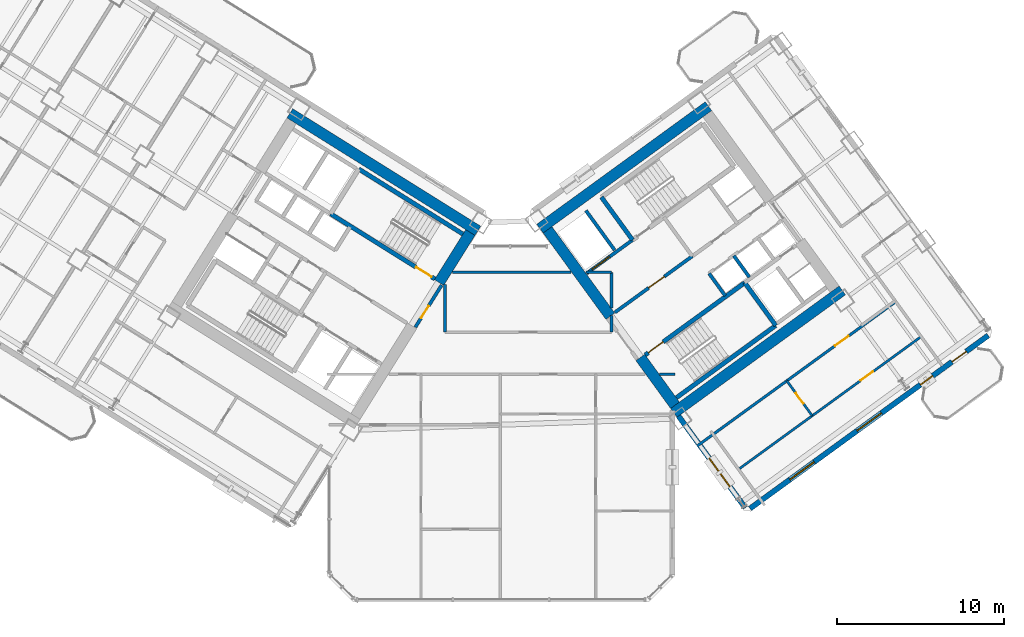
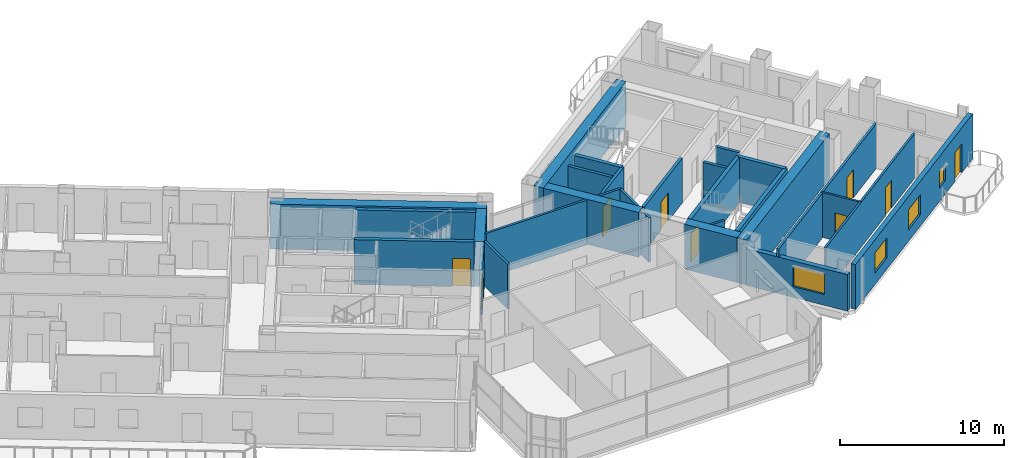
# One storey, part 18 of 25: 29 walls, 9 doors, 4 windows, 13 openings.
"""IFC4 building model written with IfcOpenShell, lengths in metres."""

from ifc_helpers import new_model, si_unit, direction, frame, frame_2d, origin, place, context, subcontext, project, spatial, rectangle, extrude, source, transform, mapped, material, layer, layer_set, type_object, element, fill, save


model = new_model("IFC4")

# Units and contexts
model_context = context("Model", 3, precision=1e-05, world=origin(), true_north=direction((0.0, 1.0)))
body_context = subcontext(model_context, "Body", "Model", "MODEL_VIEW")
ifc_project = project(units=[si_unit("LENGTHUNIT", "METRE"), si_unit("AREAUNIT", "SQUARE_METRE"), si_unit("VOLUMEUNIT", "CUBIC_METRE"), si_unit("PLANEANGLEUNIT", "RADIAN"), si_unit("MASSUNIT", "GRAM", prefix="KILO")], contexts=[model_context])

# Site, building, storey
site_placement = place(None, origin())
site = spatial("IfcSite", under=ifc_project, at=site_placement, CompositionType="ELEMENT")
building_placement = place(site_placement, origin())
building = spatial("IfcBuilding", under=site, at=building_placement, Name="Tlacorven Tower", CompositionType="ELEMENT")
storey_placement = place(building_placement, frame((0.0, 0.0, 52.800048828125)))
storey = spatial("IfcBuildingStorey", under=building, at=storey_placement, Name="L13", CompositionType="ELEMENT", Elevation=52.800048828125)

# Walls
ifc_material_1 = material(Name="Concrete C60/75", Category="concrete")
ifc_layer_1 = layer(ifc_material_1, 0.64990234375)
ifc_layer_set_1 = layer_set([ifc_layer_1], Name="Concrete C60/75")
wall_type_1 = type_object("IfcWallType", Name="WL-COR-650", PredefinedType="SHEAR", material=ifc_layer_set_1)
wall_1_placement = place(storey_placement, frame((40.615478515625, 23.9833984375, 0.0), z_axis=(0.0, 0.0, 1.0), x_axis=(-0.848045953968, 0.529922692436, 0.0)))
element("IfcWall", 1, at=wall_1_placement, inside=storey, type_object=wall_type_1, Name="L13 W core shear wall S1", PredefinedType="SHEAR", context=body_context, shape_type="SweptSolid", body=[
    extrude(rectangle(XDim=13.239990234375, YDim=0.64990234375, at=frame_2d((6.6201171875, 0.0))), origin(), (0.0, 0.0, 1.0), 3.349853515625),
])
wall_2_placement = place(storey_placement, frame((40.167724609375, 23.880126953125, 0.0), z_axis=(0.0, 0.0, 1.0), x_axis=(-0.529893103397, -0.8480644427, 0.0)))
element("IfcWall", 2, at=wall_2_placement, inside=storey, type_object=wall_type_1, Name="L13 W core end wall E1.1", PredefinedType="SHEAR", context=body_context, shape_type="SweptSolid", body=[
    extrude(rectangle(XDim=3.525146484375, YDim=0.64990234375, at=frame_2d((1.7626953125, 0.0))), origin(), (0.0, 0.0, 1.0), 3.349853515625),
])
wall_3_placement = place(storey_placement, frame((52.318359375, 13.1103515625, 0.0), z_axis=(0.0, 0.0, 1.0), x_axis=(0.809019445368, 0.587781878776, 0.0)))
element("IfcWall", 3, at=wall_3_placement, inside=storey, type_object=wall_type_1, Name="L13 E core shear wall S1", PredefinedType="SHEAR", context=body_context, shape_type="SweptSolid", body=[
    extrude(rectangle(XDim=12.43994140625, YDim=0.64990234375, at=frame_2d((6.219970703125, 0.0))), origin(), (0.0, 0.0, 1.0), 3.349853515625),
])
wall_4_placement = place(storey_placement, frame((44.32470703125, 24.113037109375, 0.0), z_axis=(0.0, 0.0, 1.0), x_axis=(0.809012664862, 0.58779121131, 0.0)))
element("IfcWall", 4, at=wall_4_placement, inside=storey, type_object=wall_type_1, Name="L13 E core shear wall S2", PredefinedType="SHEAR", context=body_context, shape_type="SweptSolid", body=[
    extrude(rectangle(XDim=12.439697265625, YDim=0.64990234375, at=frame_2d((6.2197265625, 0.0))), origin(), (0.0, 0.0, 1.0), 3.349853515625),
])
wall_5_placement = place(storey_placement, frame((52.390380859375, 13.564208984375, 0.0), z_axis=(0.0, 0.0, 1.0), x_axis=(-0.58779688989, 0.809008539037, 0.0)))
element("IfcWall", 5, at=wall_5_placement, inside=storey, type_object=wall_type_1, Name="L13 E core end wall E1.1", PredefinedType="SHEAR", context=body_context, shape_type="SweptSolid", body=[
    extrude(rectangle(XDim=3.525146484375, YDim=0.64990234375, at=frame_2d((1.7626953125, 0.0))), origin(), (0.0, 0.0, 1.0), 3.349853515625),
])
wall_6_placement = place(storey_placement, frame((48.525634765625, 18.883544921875, 0.0), z_axis=(0.0, 0.0, 1.0), x_axis=(-0.58777996584, 0.809020835181, 0.0)))
element("IfcWall", 6, at=wall_6_placement, inside=storey, type_object=wall_type_1, Name="L13 E core end wall E1.2", PredefinedType="SHEAR", context=body_context, shape_type="SweptSolid", body=[
    extrude(rectangle(XDim=6.375, YDim=0.64990234375, at=frame_2d((3.1875, 0.0))), origin(), (0.0, 0.0, 1.0), 3.349853515625),
])
ifc_material_2 = material(Name="Gypsum plasterboard acoustic partition", Category="gypsum")
ifc_layer_2 = layer(ifc_material_2, 0.159912109375)
ifc_layer_set_2 = layer_set([ifc_layer_2], Name="Gypsum plasterboard acoustic partition")
wall_type_2 = type_object("IfcWallType", Name="WL-DEM-160", PredefinedType="PARTITIONING", material=ifc_layer_set_2)
wall_7_placement = place(storey_placement, frame((51.477294921875, 15.419921875, 0.0), z_axis=(0.0, 0.0, 1.0), x_axis=(1.0, 0.0, 0.0)))
element("IfcWall", 7, at=wall_7_placement, inside=storey, type_object=wall_type_2, Name="L13 Knuckle Corridor South Wall", PredefinedType="PARTITIONING", context=body_context, shape_type="SweptSolid", body=[
    extrude(rectangle(XDim=0.922607421875, YDim=0.159912109375, at=frame_2d((0.46142578125, 0.0))), origin(), (0.0, 0.0, 1.0), 3.33984375),
])
wall_8_placement = place(storey_placement, frame((38.64990234375, 17.929931640625, 0.0), z_axis=(0.0, 0.0, 1.0), x_axis=(0.0, 1.0, 0.0)))
element("IfcWall", 8, at=wall_8_placement, inside=storey, type_object=wall_type_2, Name="L13 partition 82", PredefinedType="PARTITIONING", context=body_context, shape_type="SweptSolid", body=[
    extrude(rectangle(XDim=2.85693359375, YDim=0.159912109375, at=frame_2d((1.428466796875, 0.0))), origin(), (0.0, 0.0, 1.0), 3.33984375),
])
wall_9_placement = place(storey_placement, frame((48.60009765625, 17.929931640625, 0.0), z_axis=(0.0, 0.0, 1.0), x_axis=(0.0, 1.0, 0.0)))
element("IfcWall", 9, at=wall_9_placement, inside=storey, type_object=wall_type_2, Name="L13 partition 83", PredefinedType="PARTITIONING", context=body_context, shape_type="SweptSolid", body=[
    extrude(rectangle(XDim=0.99267578125, YDim=0.159912109375, at=frame_2d((0.496337890625, 0.0))), origin(), (0.0, 0.0, 1.0), 3.33984375),
])
wall_10_placement = place(storey_placement, frame((48.60009765625, 19.380126953125, 0.0), z_axis=(0.0, 0.0, 1.0), x_axis=(0.0, 1.0, 0.0)))
element("IfcWall", 10, at=wall_10_placement, inside=storey, type_object=wall_type_2, Name="L13 partition 83", PredefinedType="PARTITIONING", context=body_context, shape_type="SweptSolid", body=[
    extrude(rectangle(XDim=2.119873046875, YDim=0.159912109375, at=frame_2d((1.06005859375, 0.0))), origin(), (0.0, 0.0, 1.0), 3.33984375),
])
wall_11_placement = place(storey_placement, frame((39.095458984375, 21.5, 0.0), z_axis=(0.0, 0.0, 1.0), x_axis=(1.0, 0.0, 0.0)))
element("IfcWall", 11, at=wall_11_placement, inside=storey, type_object=wall_type_2, Name="L13 partition 84", PredefinedType="PARTITIONING", context=body_context, shape_type="SweptSolid", body=[
    extrude(rectangle(XDim=7.09423828125, YDim=0.159912109375, at=frame_2d((3.547119140625, 0.0))), origin(), (0.0, 0.0, 1.0), 3.33984375),
])
wall_12_placement = place(storey_placement, frame((47.059814453125, 21.5, 0.0), z_axis=(0.0, 0.0, 1.0), x_axis=(1.0, 0.0, 0.0)))
element("IfcWall", 12, at=wall_12_placement, inside=storey, type_object=wall_type_2, Name="L13 partition 84", PredefinedType="PARTITIONING", context=body_context, shape_type="SweptSolid", body=[
    extrude(rectangle(XDim=1.540283203125, YDim=0.159912109375, at=frame_2d((0.77001953125, 0.0))), origin(), (0.0, 0.0, 1.0), 3.33984375),
])

# Wall, opening, door
wall_13_placement = place(storey_placement, frame((53.70458984375, 11.1259765625, 0.0), z_axis=(0.0, 0.0, 1.0), x_axis=(0.809014504436, 0.587788679384, 0.0)))
wall_13 = element("IfcWall", 13, at=wall_13_placement, inside=storey, type_object=wall_type_2, Name="L13 partition 104", PredefinedType="PARTITIONING", context=body_context, shape_type="SweptSolid", body=[
    extrude(rectangle(XDim=14.669921875, YDim=0.159912109375, at=frame_2d((7.3349609375, 0.0))), origin(), (0.0, 0.0, 1.0), 3.33984375),
])
opening_1_placement = place(wall_13_placement, frame((10.199951171875, 0.0, 0.0)))
opening_1 = element("IfcOpeningElement", 14, at=opening_1_placement, cuts=wall_13, Name="Opening D11", PredefinedType="OPENING", context=body_context, shape_type="SweptSolid", body=[
    extrude(rectangle(XDim=1.0, YDim=2.10009765625, at=frame_2d((0.5, 1.050048828125))), frame((0.0, 0.08984375, 0.0), z_axis=(0.0, -1.0, 0.0), x_axis=(1.0, 0.0, 0.0)), (0.0, 0.0, 1.0), 0.179931640625),
])
ifc_material_3 = material(Name="Fire-rated steel door assembly", Category="steel")
door_type_1 = type_object("IfcDoorType", Name="DR-FLT-FD60-1000", OperationType="NOTDEFINED", PredefinedType="DOOR", material=ifc_material_3)
shared_shape_1 = source(origin(), body_context, "Body", "SweptSolid", [
    extrude(rectangle(XDim=1.0, YDim=2.10009765625, at=frame_2d((0.5, 1.050048828125))), frame((0.0, 0.02490234375, 0.0), z_axis=(0.0, -1.0, 0.0), x_axis=(1.0, 0.0, 0.0)), (0.0, 0.0, 1.0), 0.050048828125),
])
door_1_placement = place(opening_1_placement, origin())
door_1 = element("IfcDoor", 15, at=door_1_placement, inside=storey, type_object=door_type_1, Name="L13 door 065", OperationType="SINGLE_SWING_RIGHT", OverallHeight=2.10009765625, OverallWidth=1.0, PredefinedType="DOOR", context=body_context, shape_type="MappedRepresentation", body=[
    mapped(shared_shape_1, transform((0.0, 0.0, 0.0), scale=1.0)),
])
fill(opening_1, door_1)

# Wall, openings, door, windows
ifc_material_4 = material(Name="Precast concrete C45/55", Category="concrete")
ifc_layer_3 = layer(ifc_material_4, 0.320068359375)
ifc_layer_set_3 = layer_set([ifc_layer_3], Name="Precast concrete C45/55")
wall_type_3 = type_object("IfcWallType", Name="WL-EXT-320", PredefinedType="STANDARD", material=ifc_layer_set_3)
wall_14_placement = place(storey_placement, frame((71.097900390625, 17.73095703125, 0.0), z_axis=(0.0, 0.0, 1.0), x_axis=(-0.809021120468, -0.587779573171, 0.0)))
wall_14 = element("IfcWall", 16, at=wall_14_placement, inside=storey, type_object=wall_type_3, Name="L13 Masonry-Frame Recessed Facade Wall 6", PredefinedType="STANDARD", context=body_context, shape_type="SweptSolid", body=[
    extrude(rectangle(XDim=17.587646484375, YDim=0.320068359375, at=frame_2d((8.7939453125, 0.0))), origin(), (0.0, 0.0, 1.0), 3.349853515625),
])
opening_2_placement = place(wall_14_placement, frame((1.623779296875, 0.0, 0.0)))
opening_2 = element("IfcOpeningElement", 17, at=opening_2_placement, cuts=wall_14, Name="Opening D06", PredefinedType="OPENING", context=body_context, shape_type="SweptSolid", body=[
    extrude(rectangle(XDim=1.050048828125, YDim=2.14990234375, at=frame_2d((0.52490234375, 1.074951171875))), frame((0.0, 0.169921875, 0.0), z_axis=(0.0, -1.0, 0.0), x_axis=(1.0, 0.0, 0.0)), (0.0, 0.0, 1.0), 0.340087890625),
])
opening_3_placement = place(wall_14_placement, frame((4.103759765625, 0.0, 1.0)))
opening_3 = element("IfcOpeningElement", 18, at=opening_3_placement, cuts=wall_14, Name="Opening WN05", PredefinedType="OPENING", context=body_context, shape_type="SweptSolid", body=[
    extrude(rectangle(XDim=0.89990234375, YDim=1.25, at=frame_2d((0.449951171875, 0.625))), frame((0.0, 0.169921875, 0.0), z_axis=(0.0, -1.0, 0.0), x_axis=(1.0, 0.0, 0.0)), (0.0, 0.0, 1.0), 0.340087890625),
])
opening_4_placement = place(wall_14_placement, frame((7.878662109375, 0.0, 0.85009765625)))
opening_4 = element("IfcOpeningElement", 19, at=opening_4_placement, cuts=wall_14, Name="Opening WN01", PredefinedType="OPENING", context=body_context, shape_type="SweptSolid", body=[
    extrude(rectangle(XDim=1.800048828125, YDim=1.5, at=frame_2d((0.89990234375, 0.75))), frame((0.0, 0.169921875, 0.0), z_axis=(0.0, -1.0, 0.0), x_axis=(1.0, 0.0, 0.0)), (0.0, 0.0, 1.0), 0.340087890625),
])
opening_5_placement = place(wall_14_placement, frame((12.8486328125, 0.0, 0.85009765625)))
opening_5 = element("IfcOpeningElement", 20, at=opening_5_placement, cuts=wall_14, Name="Opening WN01", PredefinedType="OPENING", context=body_context, shape_type="SweptSolid", body=[
    extrude(rectangle(XDim=1.800048828125, YDim=1.5, at=frame_2d((0.89990234375, 0.75))), frame((0.0, 0.169921875, 0.0), z_axis=(0.0, -1.0, 0.0), x_axis=(1.0, 0.0, 0.0)), (0.0, 0.0, 1.0), 0.340087890625),
])
ifc_material_5 = material(Name="Powder-coated aluminium and timber door", Category="wood")
door_type_2 = type_object("IfcDoorType", Name="DR-EXT-BALC-1050", OperationType="NOTDEFINED", PredefinedType="DOOR", material=ifc_material_5)
shared_shape_2 = source(origin(), body_context, "Body", "SweptSolid", [
    extrude(rectangle(XDim=1.050048828125, YDim=2.14990234375, at=frame_2d((0.52490234375, 1.074951171875))), frame((0.0, 0.02490234375, 0.0), z_axis=(0.0, -1.0, 0.0), x_axis=(1.0, 0.0, 0.0)), (0.0, 0.0, 1.0), 0.050048828125),
])
door_2_placement = place(opening_2_placement, origin())
door_2 = element("IfcDoor", 21, at=door_2_placement, inside=storey, type_object=door_type_2, Name="L13 Outdoor Access Door BAL-L13-E-OUT", OperationType="SINGLE_SWING_LEFT", OverallHeight=2.14990234375, OverallWidth=1.050048828125, PredefinedType="DOOR", context=body_context, shape_type="MappedRepresentation", body=[
    mapped(shared_shape_2, transform((0.0, 0.0, 0.0), scale=1.0)),
])
fill(opening_2, door_2)
ifc_material_6 = material(Name="Dark solar low-E double glazing in anodised aluminium frame", Category="aluminium")
window_type_1 = type_object("IfcWindowType", Name="WN-APT-1800X1650", PartitioningType="SINGLE_PANEL", PredefinedType="WINDOW", material=ifc_material_6)
shared_shape_3 = source(origin(), body_context, "Body", "SweptSolid", [
    extrude(rectangle(XDim=1.800048828125, YDim=1.5, at=frame_2d((0.89990234375, 0.75))), frame((0.0, 0.030029296875, 0.0), z_axis=(0.0, -1.0, 0.0), x_axis=(1.0, 0.0, 0.0)), (0.0, 0.0, 1.0), 0.06005859375),
])
window_1_placement = place(opening_4_placement, origin())
window_1 = element("IfcWindow", 22, at=window_1_placement, inside=storey, type_object=window_type_1, Name="L13 Recessed Masonry-Frame Window L13-06.2", OverallHeight=1.5, OverallWidth=1.800048828125, PartitioningType="SINGLE_PANEL", PredefinedType="WINDOW", context=body_context, shape_type="MappedRepresentation", body=[
    mapped(shared_shape_3, transform((0.0, 0.0, 0.0), scale=1.0)),
])
fill(opening_4, window_1)
window_2_placement = place(opening_5_placement, origin())
window_2 = element("IfcWindow", 23, at=window_2_placement, inside=storey, type_object=window_type_1, Name="L13 Recessed Masonry-Frame Window L13-06.3", OverallHeight=1.5, OverallWidth=1.800048828125, PartitioningType="SINGLE_PANEL", PredefinedType="WINDOW", context=body_context, shape_type="MappedRepresentation", body=[
    mapped(shared_shape_3, transform((0.0, 0.0, 0.0), scale=1.0)),
])
fill(opening_5, window_2)
window_type_2 = type_object("IfcWindowType", Name="WN-APT-0900X1350", PartitioningType="SINGLE_PANEL", PredefinedType="WINDOW", material=ifc_material_6)
shared_shape_4 = source(origin(), body_context, "Body", "SweptSolid", [
    extrude(rectangle(XDim=0.89990234375, YDim=1.25, at=frame_2d((0.449951171875, 0.625))), frame((0.0, 0.030029296875, 0.0), z_axis=(0.0, -1.0, 0.0), x_axis=(1.0, 0.0, 0.0)), (0.0, 0.0, 1.0), 0.06005859375),
])
window_3_placement = place(opening_3_placement, origin())
window_3 = element("IfcWindow", 24, at=window_3_placement, inside=storey, type_object=window_type_2, Name="L13 Recessed Masonry-Frame Window L13-06.1", OverallHeight=1.25, OverallWidth=0.89990234375, PartitioningType="SINGLE_PANEL", PredefinedType="WINDOW", context=body_context, shape_type="MappedRepresentation", body=[
    mapped(shared_shape_4, transform((0.0, 0.0, 0.0), scale=1.0)),
])
fill(opening_3, window_3)

# Wall, opening, window
wall_15_placement = place(storey_placement, frame((56.5810546875, 7.43896484375, 0.0), z_axis=(0.0, 0.0, 1.0), x_axis=(-0.587785875463, 0.809016541614, 0.0)))
wall_15 = element("IfcWall", 25, at=wall_15_placement, inside=storey, type_object=wall_type_3, Name="L13 Masonry-Frame Recessed Facade Wall 7", PredefinedType="STANDARD", context=body_context, shape_type="SweptSolid", body=[
    extrude(rectangle(XDim=6.773681640625, YDim=0.320068359375, at=frame_2d((3.38671875, 0.0))), origin(), (0.0, 0.0, 1.0), 2.724853515625),
])
opening_6_placement = place(wall_15_placement, frame((1.55615234375, 0.0, 0.800048828125)))
opening_6 = element("IfcOpeningElement", 26, at=opening_6_placement, cuts=wall_15, Name="Opening WN04", PredefinedType="OPENING", context=body_context, shape_type="SweptSolid", body=[
    extrude(rectangle(XDim=2.10009765625, YDim=1.550048828125, at=frame_2d((1.050048828125, 0.77490234375))), frame((0.0, 0.169921875, 0.0), z_axis=(0.0, -1.0, 0.0), x_axis=(1.0, 0.0, 0.0)), (0.0, 0.0, 1.0), 0.340087890625),
])
window_type_3 = type_object("IfcWindowType", Name="WN-APT-2100X1750", PartitioningType="SINGLE_PANEL", PredefinedType="WINDOW", material=ifc_material_6)
shared_shape_5 = source(origin(), body_context, "Body", "SweptSolid", [
    extrude(rectangle(XDim=2.10009765625, YDim=1.550048828125, at=frame_2d((1.050048828125, 0.77490234375))), frame((0.0, 0.030029296875, 0.0), z_axis=(0.0, -1.0, 0.0), x_axis=(1.0, 0.0, 0.0)), (0.0, 0.0, 1.0), 0.06005859375),
])
window_4_placement = place(opening_6_placement, origin())
window_4 = element("IfcWindow", 27, at=window_4_placement, inside=storey, type_object=window_type_3, Name="L13 Recessed Masonry-Frame Window L13-07.1", OverallHeight=1.550048828125, OverallWidth=2.10009765625, PartitioningType="SINGLE_PANEL", PredefinedType="WINDOW", context=body_context, shape_type="MappedRepresentation", body=[
    mapped(shared_shape_5, transform((0.0, 0.0, 0.0), scale=1.0)),
])
fill(opening_6, window_4)

# Wall, opening, door
ifc_material_7 = material(Name="Moisture-resistant gypsum plumbing wall", Category="gypsum")
ifc_layer_4 = layer(ifc_material_7, 0.139892578125)
ifc_layer_set_4 = layer_set([ifc_layer_4], Name="Moisture-resistant gypsum plumbing wall")
wall_type_4 = type_object("IfcWallType", Name="WL-PLM-140", PredefinedType="PLUMBINGWALL", material=ifc_layer_set_4)
wall_16_placement = place(storey_placement, frame((56.24853515625, 9.78515625, 0.0), z_axis=(0.0, 0.0, 1.0), x_axis=(0.809011747655, 0.587792473715, 0.0)))
wall_16 = element("IfcWall", 28, at=wall_16_placement, inside=storey, type_object=wall_type_4, Name="L13 partition 106", PredefinedType="PLUMBINGWALL", context=body_context, shape_type="SweptSolid", body=[
    extrude(rectangle(XDim=13.400146484375, YDim=0.139892578125, at=frame_2d((6.7001953125, 0.0))), origin(), (0.0, 0.0, 1.0), 3.33984375),
])
opening_7_placement = place(wall_16_placement, frame((8.93994140625, 0.0, 0.0)))
opening_7 = element("IfcOpeningElement", 29, at=opening_7_placement, cuts=wall_16, Name="Opening D12", PredefinedType="OPENING", context=body_context, shape_type="SweptSolid", body=[
    extrude(rectangle(XDim=0.919921875, YDim=2.080078125, at=frame_2d((0.4599609375, 1.0400390625))), frame((0.0, 0.080078125, 0.0), z_axis=(0.0, -1.0, 0.0), x_axis=(1.0, 0.0, 0.0)), (0.0, 0.0, 1.0), 0.159912109375),
])
door_type_3 = type_object("IfcDoorType", Name="DR-INT-ROOM-0920", OperationType="NOTDEFINED", PredefinedType="DOOR", material=ifc_material_5)
shared_shape_6 = source(origin(), body_context, "Body", "SweptSolid", [
    extrude(rectangle(XDim=0.919921875, YDim=2.080078125, at=frame_2d((0.4599609375, 1.0400390625))), frame((0.0, 0.02490234375, 0.0), z_axis=(0.0, -1.0, 0.0), x_axis=(1.0, 0.0, 0.0)), (0.0, 0.0, 1.0), 0.050048828125),
])
door_3_placement = place(opening_7_placement, origin())
door_3 = element("IfcDoor", 30, at=door_3_placement, inside=storey, type_object=door_type_3, Name="L13 door 066", OperationType="SINGLE_SWING_LEFT", OverallHeight=2.080078125, OverallWidth=0.919921875, PredefinedType="DOOR", context=body_context, shape_type="MappedRepresentation", body=[
    mapped(shared_shape_6, transform((0.0, 0.0, 0.0), scale=1.0)),
])
fill(opening_7, door_3)

wall_17_placement = place(storey_placement, frame((60.584716796875, 12.935791015625, 0.0), z_axis=(0.0, 0.0, 1.0), x_axis=(-0.587772116736, 0.809026537752, 0.0)))
wall_17 = element("IfcWall", 31, at=wall_17_placement, inside=storey, type_object=wall_type_4, Name="L13 partition 107", PredefinedType="PLUMBINGWALL", context=body_context, shape_type="SweptSolid", body=[
    extrude(rectangle(XDim=2.579833984375, YDim=0.139892578125, at=frame_2d((1.2900390625, 0.0))), origin(), (0.0, 0.0, 1.0), 3.33984375),
])
opening_8_placement = place(wall_17_placement, frame((0.89990234375, 0.0, 0.0)))
opening_8 = element("IfcOpeningElement", 32, at=opening_8_placement, cuts=wall_17, Name="Opening D22", PredefinedType="OPENING", context=body_context, shape_type="SweptSolid", body=[
    extrude(rectangle(XDim=0.780029296875, YDim=2.050048828125, at=frame_2d((0.39013671875, 1.02490234375))), frame((0.0, 0.080078125, 0.0), z_axis=(0.0, -1.0, 0.0), x_axis=(1.0, 0.0, 0.0)), (0.0, 0.0, 1.0), 0.159912109375),
])
door_type_4 = type_object("IfcDoorType", Name="DR-INT-WET-0780", OperationType="NOTDEFINED", PredefinedType="DOOR", material=ifc_material_5)
shared_shape_7 = source(origin(), body_context, "Body", "SweptSolid", [
    extrude(rectangle(XDim=0.780029296875, YDim=2.050048828125, at=frame_2d((0.39013671875, 1.02490234375))), frame((0.0, 0.02490234375, 0.0), z_axis=(0.0, -1.0, 0.0), x_axis=(1.0, 0.0, 0.0)), (0.0, 0.0, 1.0), 0.050048828125),
])
door_4_placement = place(opening_8_placement, origin())
door_4 = element("IfcDoor", 33, at=door_4_placement, inside=storey, type_object=door_type_4, Name="L13 door 067", OperationType="SINGLE_SWING_RIGHT", OverallHeight=2.050048828125, OverallWidth=0.780029296875, PredefinedType="DOOR", context=body_context, shape_type="MappedRepresentation", body=[
    mapped(shared_shape_7, transform((0.0, 0.0, 0.0), scale=1.0)),
])
fill(opening_8, door_4)

ifc_material_8 = material(Name="Concrete C40/50", Category="concrete")
ifc_layer_5 = layer(ifc_material_8, 0.199951171875)
ifc_layer_set_5 = layer_set([ifc_layer_5], Name="Concrete C40/50")
wall_type_5 = type_object("IfcWallType", Name="WL-SHF-200", PredefinedType="STANDARD", material=ifc_layer_set_5)
wall_18_placement = place(storey_placement, frame((47.10595703125, 21.4365234375, 0.0), z_axis=(0.0, 0.0, 1.0), x_axis=(0.809012514015, 0.58779141893, 0.0)))
wall_18 = element("IfcWall", 34, at=wall_18_placement, inside=storey, type_object=wall_type_5, Name="L13 Core E Firefighting Lift Shaft Front Wall", PredefinedType="STANDARD", context=body_context, shape_type="SweptSolid", body=[
    extrude(rectangle(XDim=3.39794921875, YDim=0.199951171875, at=frame_2d((1.698974609375, 0.0))), origin(), (0.0, 0.0, 1.0), 3.33984375),
])
opening_9_placement = place(wall_18_placement, frame((0.407958984375, 0.0, 0.0)))
opening_9 = element("IfcOpeningElement", 35, at=opening_9_placement, cuts=wall_18, Name="Opening LD03", PredefinedType="OPENING", context=body_context, shape_type="SweptSolid", body=[
    extrude(rectangle(XDim=1.300048828125, YDim=2.199951171875, at=frame_2d((0.64990234375, 1.10009765625))), frame((0.0, 0.10986328125, 0.0), z_axis=(0.0, -1.0, 0.0), x_axis=(1.0, 0.0, 0.0)), (0.0, 0.0, 1.0), 0.219970703125),
])
door_type_5 = type_object("IfcDoorType", Name="DR-LFT-SLID-1300", OperationType="DOUBLE_DOOR_SLIDING", PredefinedType="DOOR", material=ifc_material_3)
shared_shape_8 = source(origin(), body_context, "Body", "SweptSolid", [
    extrude(rectangle(XDim=1.300048828125, YDim=2.199951171875, at=frame_2d((0.64990234375, 1.10009765625))), frame((0.0, 0.02490234375, 0.0), z_axis=(0.0, -1.0, 0.0), x_axis=(1.0, 0.0, 0.0)), (0.0, 0.0, 1.0), 0.050048828125),
])
door_5_placement = place(opening_9_placement, origin())
door_5 = element("IfcDoor", 36, at=door_5_placement, inside=storey, type_object=door_type_5, Name="L13 Lift FFL-E1 Sliding Landing Door", OperationType="DOUBLE_DOOR_SLIDING", OverallHeight=2.199951171875, OverallWidth=1.300048828125, PredefinedType="DOOR", context=body_context, shape_type="MappedRepresentation", body=[
    mapped(shared_shape_8, transform((0.0, 0.0, 0.0), scale=1.0)),
])
fill(opening_9, door_5)

wall_19_placement = place(storey_placement, frame((48.798828125, 19.106689453125, 0.0), z_axis=(0.0, 0.0, 1.0), x_axis=(0.809012959416, 0.587790805897, 0.0)))
wall_19 = element("IfcWall", 37, at=wall_19_placement, inside=storey, type_object=wall_type_5, Name="L13 Core E Smoke Lobby Wall", PredefinedType="STANDARD", context=body_context, shape_type="SweptSolid", body=[
    extrude(rectangle(XDim=5.7177734375, YDim=0.199951171875, at=frame_2d((2.85888671875, 0.0))), origin(), (0.0, 0.0, 1.0), 3.33984375),
])
opening_10_placement = place(wall_19_placement, frame((2.498046875, 0.0, 0.0)))
opening_10 = element("IfcOpeningElement", 38, at=opening_10_placement, cuts=wall_19, Name="Opening D09", PredefinedType="OPENING", context=body_context, shape_type="SweptSolid", body=[
    extrude(rectangle(XDim=1.14990234375, YDim=2.10009765625, at=frame_2d((0.574951171875, 1.050048828125))), frame((0.0, 0.10986328125, 0.0), z_axis=(0.0, -1.0, 0.0), x_axis=(1.0, 0.0, 0.0)), (0.0, 0.0, 1.0), 0.219970703125),
])
door_type_6 = type_object("IfcDoorType", Name="DR-FFL-FD60-1150", OperationType="NOTDEFINED", PredefinedType="DOOR", material=ifc_material_3)
shared_shape_9 = source(origin(), body_context, "Body", "SweptSolid", [
    extrude(rectangle(XDim=1.14990234375, YDim=2.10009765625, at=frame_2d((0.574951171875, 1.050048828125))), frame((0.0, 0.02490234375, 0.0), z_axis=(0.0, -1.0, 0.0), x_axis=(1.0, 0.0, 0.0)), (0.0, 0.0, 1.0), 0.050048828125),
])
door_6_placement = place(opening_10_placement, origin())
door_6 = element("IfcDoor", 39, at=door_6_placement, inside=storey, type_object=door_type_6, Name="L13 Firefighting Lobby E Fire Door", OperationType="SINGLE_SWING_LEFT", OverallHeight=2.10009765625, OverallWidth=1.14990234375, PredefinedType="DOOR", context=body_context, shape_type="MappedRepresentation", body=[
    mapped(shared_shape_9, transform((0.0, 0.0, 0.0), scale=1.0)),
])
fill(opening_10, door_6)

# Walls
wall_20_placement = place(storey_placement, frame((55.390869140625, 20.1015625, 0.0), z_axis=(0.0, 0.0, 1.0), x_axis=(-0.58778447739, 0.809017557374, 0.0)))
element("IfcWall", 40, at=wall_20_placement, inside=storey, type_object=wall_type_5, Name="L13 partition 37", PredefinedType="STANDARD", context=body_context, shape_type="SweptSolid", body=[
    extrude(rectangle(XDim=1.64990234375, YDim=0.199951171875, at=frame_2d((0.824951171875, 0.0))), origin(), (0.0, 0.0, 1.0), 3.33984375),
])
wall_21_placement = place(storey_placement, frame((48.78564453125, 22.830078125, 0.0), z_axis=(0.0, 0.0, 1.0), x_axis=(-0.587783856777, 0.809018008275, 0.0)))
element("IfcWall", 41, at=wall_21_placement, inside=storey, type_object=wall_type_5, Name="L13 partition 38", PredefinedType="STANDARD", context=body_context, shape_type="SweptSolid", body=[
    extrude(rectangle(XDim=2.919921875, YDim=0.199951171875, at=frame_2d((1.4599609375, 0.0))), origin(), (0.0, 0.0, 1.0), 3.33984375),
])
wall_22_placement = place(storey_placement, frame((56.833984375, 21.211669921875, 0.0), z_axis=(0.0, 0.0, 1.0), x_axis=(-0.58776738483, 0.809029975545, 0.0)))
element("IfcWall", 42, at=wall_22_placement, inside=storey, type_object=wall_type_5, Name="L13 partition 39", PredefinedType="STANDARD", context=body_context, shape_type="SweptSolid", body=[
    extrude(rectangle(XDim=1.580078125, YDim=0.199951171875, at=frame_2d((0.7900390625, 0.0))), origin(), (0.0, 0.0, 1.0), 3.33984375),
])

# Wall, opening, door
wall_23_placement = place(storey_placement, frame((38.451416015625, 20.737060546875, 0.0), z_axis=(0.0, 0.0, 1.0), x_axis=(-0.529924799939, -0.848044637038, 0.0)))
wall_23 = element("IfcWall", 43, at=wall_23_placement, inside=storey, type_object=wall_type_5, Name="L13 partition 79", PredefinedType="STANDARD", context=body_context, shape_type="SweptSolid", body=[
    extrude(rectangle(XDim=2.9599609375, YDim=0.199951171875, at=frame_2d((1.47998046875, 0.0))), origin(), (0.0, 0.0, 1.0), 3.33984375),
])
opening_11_placement = place(wall_23_placement, frame((1.4599609375, 0.0, 0.0)))
opening_11 = element("IfcOpeningElement", 44, at=opening_11_placement, cuts=wall_23, Name="Opening D19", PredefinedType="OPENING", context=body_context, shape_type="SweptSolid", body=[
    extrude(rectangle(XDim=0.860107421875, YDim=2.050048828125, at=frame_2d((0.43017578125, 1.02490234375))), frame((0.0, 0.10986328125, 0.0), z_axis=(0.0, -1.0, 0.0), x_axis=(1.0, 0.0, 0.0)), (0.0, 0.0, 1.0), 0.219970703125),
])
door_type_7 = type_object("IfcDoorType", Name="DR-RSR-FD60-0860", OperationType="NOTDEFINED", PredefinedType="DOOR", material=ifc_material_3)
shared_shape_10 = source(origin(), body_context, "Body", "SweptSolid", [
    extrude(rectangle(XDim=0.860107421875, YDim=2.050048828125, at=frame_2d((0.43017578125, 1.02490234375))), frame((0.0, 0.02490234375, 0.0), z_axis=(0.0, -1.0, 0.0), x_axis=(1.0, 0.0, 0.0)), (0.0, 0.0, 1.0), 0.050048828125),
])
door_7_placement = place(opening_11_placement, frame((0.860107421875, 0.0, 0.0), z_axis=(0.0, 0.0, 1.0), x_axis=(-1.0, 0.0, 0.0)))
door_7 = element("IfcDoor", 45, at=door_7_placement, inside=storey, type_object=door_type_7, Name="L13 door 048", OperationType="SINGLE_SWING_LEFT", OverallHeight=2.050048828125, OverallWidth=0.860107421875, PredefinedType="DOOR", context=body_context, shape_type="MappedRepresentation", body=[
    mapped(shared_shape_10, transform((0.0, 0.0, 0.0), scale=1.0)),
])
fill(opening_11, door_7)

# Wall
ifc_material_9 = material(Name="Concrete C50/60", Category="concrete")
ifc_layer_6 = layer(ifc_material_9, 0.260009765625)
ifc_layer_set_6 = layer_set([ifc_layer_6], Name="Concrete C50/60")
wall_type_6 = type_object("IfcWallType", Name="WL-STW-260", PredefinedType="SHEAR", material=ifc_layer_set_6)
wall_24_placement = place(storey_placement, frame((39.720947265625, 23.787841796875, 0.0), z_axis=(0.0, 0.0, 1.0), x_axis=(-0.848054434086, 0.529909121291, 0.0)))
element("IfcWall", 46, at=wall_24_placement, inside=storey, type_object=wall_type_6, Name="L13 Stair W2 Far Shear Wall", PredefinedType="SHEAR", context=body_context, shape_type="SweptSolid", body=[
    extrude(rectangle(XDim=7.330078125, YDim=0.260009765625, at=frame_2d((3.6650390625, 0.0))), origin(), (0.0, 0.0, 1.0), 3.349853515625),
])

# Wall, opening, door
wall_25_placement = place(storey_placement, frame((38.04638671875, 21.10791015625, 0.0), z_axis=(0.0, 0.0, 1.0), x_axis=(-0.848054434086, 0.529909121291, 0.0)))
wall_25 = element("IfcWall", 47, at=wall_25_placement, inside=storey, type_object=wall_type_6, Name="L13 Stair W2 Lobby Shear Wall", PredefinedType="SHEAR", context=body_context, shape_type="SweptSolid", body=[
    extrude(rectangle(XDim=7.330078125, YDim=0.260009765625, at=frame_2d((3.6650390625, 0.0))), origin(), (0.0, 0.0, 1.0), 3.349853515625),
])
opening_12_placement = place(wall_25_placement, frame((0.219970703125, 0.0, 0.0)))
opening_12 = element("IfcOpeningElement", 48, at=opening_12_placement, cuts=wall_25, Name="Opening D07", PredefinedType="OPENING", context=body_context, shape_type="SweptSolid", body=[
    extrude(rectangle(XDim=1.10009765625, YDim=2.10009765625, at=frame_2d((0.550048828125, 1.050048828125))), frame((0.0, 0.14013671875, 0.0), z_axis=(0.0, -1.0, 0.0), x_axis=(1.0, 0.0, 0.0)), (0.0, 0.0, 1.0), 0.280029296875),
])
door_type_8 = type_object("IfcDoorType", Name="DR-STR-FD90-1100", OperationType="NOTDEFINED", PredefinedType="DOOR", material=ifc_material_3)
shared_shape_11 = source(origin(), body_context, "Body", "SweptSolid", [
    extrude(rectangle(XDim=1.10009765625, YDim=2.10009765625, at=frame_2d((0.550048828125, 1.050048828125))), frame((0.0, 0.02490234375, 0.0), z_axis=(0.0, -1.0, 0.0), x_axis=(1.0, 0.0, 0.0)), (0.0, 0.0, 1.0), 0.050048828125),
])
door_8_placement = place(opening_12_placement, origin())
door_8 = element("IfcDoor", 49, at=door_8_placement, inside=storey, type_object=door_type_8, Name="L13 Exit Stair W2 Fire Door", OperationType="SINGLE_SWING_RIGHT", OverallHeight=2.10009765625, OverallWidth=1.10009765625, PredefinedType="DOOR", context=body_context, shape_type="MappedRepresentation", body=[
    mapped(shared_shape_11, transform((0.0, 0.0, 0.0), scale=1.0)),
])
fill(opening_12, door_8)

# Walls
wall_26_placement = place(storey_placement, frame((49.85498046875, 23.433837890625, 0.0), z_axis=(0.0, 0.0, 1.0), x_axis=(-0.58776738483, 0.809029975545, 0.0)))
element("IfcWall", 50, at=wall_26_placement, inside=storey, type_object=wall_type_6, Name="L13 Stair E1 West Shear Wall", PredefinedType="SHEAR", context=body_context, shape_type="SweptSolid", body=[
    extrude(rectangle(XDim=3.16015625, YDim=0.260009765625, at=frame_2d((1.580078125, 0.0))), origin(), (0.0, 0.0, 1.0), 3.349853515625),
])
wall_27_placement = place(storey_placement, frame((52.47216796875, 14.01318359375, 0.0), z_axis=(0.0, 0.0, 1.0), x_axis=(0.809028366311, 0.587769599847, 0.0)))
element("IfcWall", 51, at=wall_27_placement, inside=storey, type_object=wall_type_6, Name="L13 Stair E2 Far Shear Wall", PredefinedType="SHEAR", context=body_context, shape_type="SweptSolid", body=[
    extrude(rectangle(XDim=7.330078125, YDim=0.260009765625, at=frame_2d((3.6650390625, 0.0))), origin(), (0.0, 0.0, 1.0), 3.349853515625),
])

# Wall, opening, door
wall_28_placement = place(storey_placement, frame((50.61474609375, 16.569580078125, 0.0), z_axis=(0.0, 0.0, 1.0), x_axis=(0.809028366311, 0.587769599847, 0.0)))
wall_28 = element("IfcWall", 52, at=wall_28_placement, inside=storey, type_object=wall_type_6, Name="L13 Stair E2 Lobby Shear Wall", PredefinedType="SHEAR", context=body_context, shape_type="SweptSolid", body=[
    extrude(rectangle(XDim=7.330078125, YDim=0.260009765625, at=frame_2d((3.6650390625, 0.0))), origin(), (0.0, 0.0, 1.0), 3.349853515625),
])
opening_13_placement = place(wall_28_placement, frame((0.219970703125, 0.0, 0.0)))
opening_13 = element("IfcOpeningElement", 53, at=opening_13_placement, cuts=wall_28, Name="Opening D07", PredefinedType="OPENING", context=body_context, shape_type="SweptSolid", body=[
    extrude(rectangle(XDim=1.10009765625, YDim=2.10009765625, at=frame_2d((0.550048828125, 1.050048828125))), frame((0.0, 0.14013671875, 0.0), z_axis=(0.0, -1.0, 0.0), x_axis=(1.0, 0.0, 0.0)), (0.0, 0.0, 1.0), 0.280029296875),
])
door_9_placement = place(opening_13_placement, origin())
door_9 = element("IfcDoor", 54, at=door_9_placement, inside=storey, type_object=door_type_8, Name="L13 Exit Stair E2 Fire Door", OperationType="SINGLE_SWING_RIGHT", OverallHeight=2.10009765625, OverallWidth=1.10009765625, PredefinedType="DOOR", context=body_context, shape_type="MappedRepresentation", body=[
    mapped(shared_shape_11, transform((0.0, 0.0, 0.0), scale=1.0)),
])
fill(opening_13, door_9)

# Wall
wall_29_placement = place(storey_placement, frame((58.410400390625, 18.327392578125, 0.0), z_axis=(0.0, 0.0, 1.0), x_axis=(-0.58776738483, 0.809029975545, 0.0)))
element("IfcWall", 55, at=wall_29_placement, inside=storey, type_object=wall_type_6, Name="L13 Stair E2 East Shear Wall", PredefinedType="SHEAR", context=body_context, shape_type="SweptSolid", body=[
    extrude(rectangle(XDim=3.16015625, YDim=0.260009765625, at=frame_2d((1.580078125, 0.0))), origin(), (0.0, 0.0, 1.0), 3.349853515625),
])

save(model, "model.ifc")
